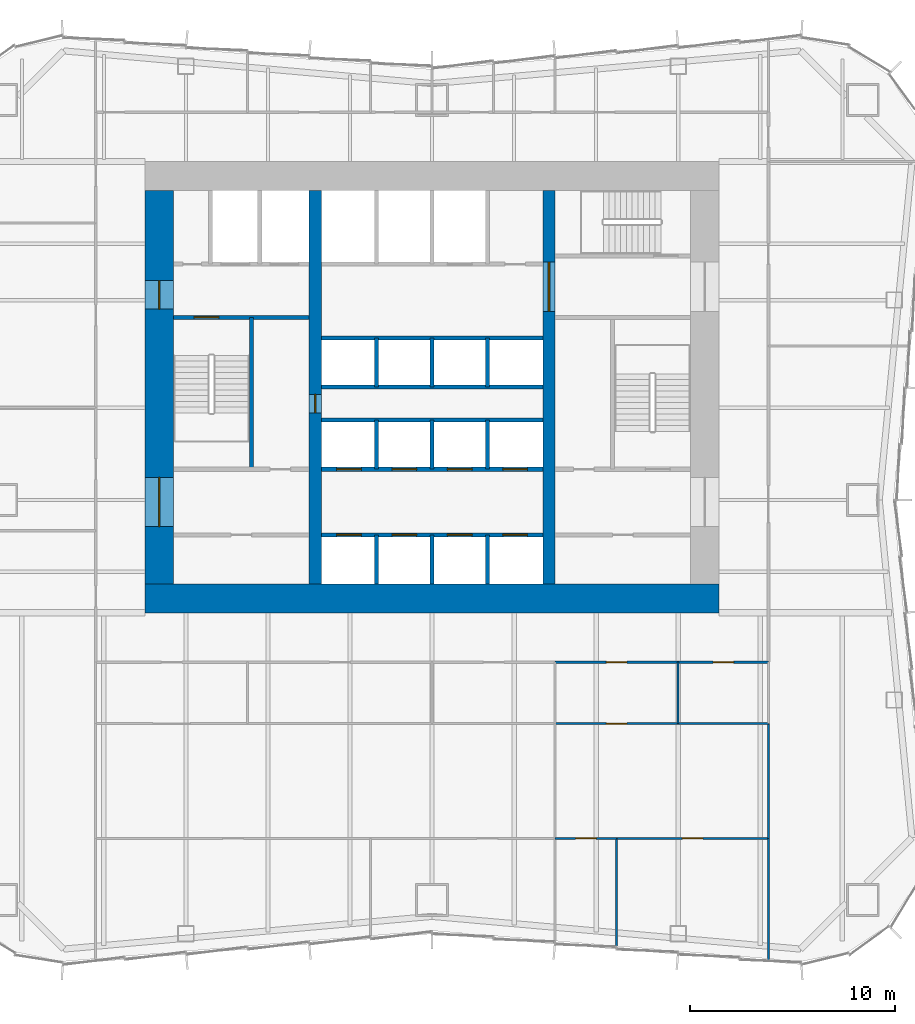
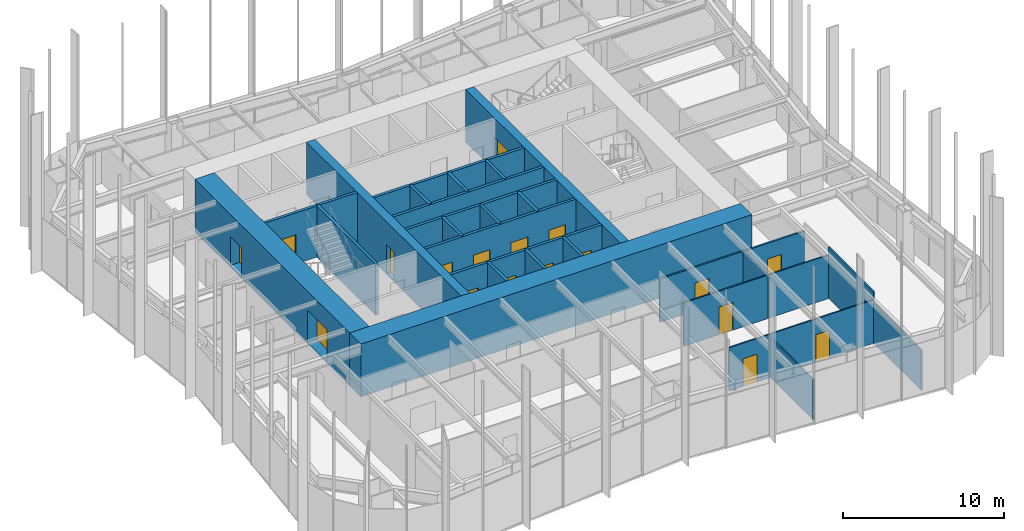
# One storey, part 10 of 13: 30 walls, 18 doors, 18 openings.
"""IFC4 building model written with IfcOpenShell, lengths in metres."""

from ifc_helpers import new_model, si_unit, direction, frame, frame_2d, origin, place, context, subcontext, project, spatial, rectangle, extrude, material, layer, layer_set, type_object, element, fill, save


model = new_model("IFC4")

# Units and contexts
model_context = context("Model", 3, precision=1e-05, world=origin(), true_north=direction((0.0, 1.0)))
body_context = subcontext(model_context, "Body", "Model", "MODEL_VIEW")
ifc_project = project(units=[si_unit("LENGTHUNIT", "METRE"), si_unit("AREAUNIT", "SQUARE_METRE"), si_unit("VOLUMEUNIT", "CUBIC_METRE"), si_unit("PLANEANGLEUNIT", "RADIAN"), si_unit("MASSUNIT", "GRAM", prefix="KILO")], contexts=[model_context])

# Site, building, storey
site_placement = place(None, origin())
site = spatial("IfcSite", under=ifc_project, at=site_placement, CompositionType="ELEMENT")
building_placement = place(site_placement, origin())
building = spatial("IfcBuilding", under=site, at=building_placement, Name="Verdant Reach Tower", CompositionType="ELEMENT")
storey_placement = place(building_placement, frame((0.0, 0.0, 14.0)))
storey = spatial("IfcBuildingStorey", under=building, at=storey_placement, Name="L02", CompositionType="ELEMENT", Elevation=14.0)

# Wall, openings, doors
ifc_material_1 = material(Name="Concrete C40/50", Category="concrete")
ifc_layer_1 = layer(ifc_material_1, 0.199951171875)
ifc_layer_set_1 = layer_set([ifc_layer_1], Name="CO-WALL-SHAFT")
wall_type_1 = type_object("IfcWallType", Name="CO-WALL-SHAFT", PredefinedType="PARTITIONING", material=ifc_layer_set_1)
wall_1_placement = place(storey_placement, frame((-5.39990234375, 20.800048828125, 0.0), z_axis=(0.0, 0.0, 1.0), x_axis=(1.0, 0.0, 0.0)))
wall_1 = element("IfcWall", 1, at=wall_1_placement, inside=storey, type_object=wall_type_1, Name="Lift shaft wall, L02", PredefinedType="PARTITIONING", context=body_context, shape_type="SweptSolid", body=[
    extrude(rectangle(XDim=10.7998046875, YDim=0.199951171875, at=frame_2d((5.39990234375, 0.0))), origin(), (0.0, 0.0, 1.0), 3.8701171875),
])
opening_1_placement = place(wall_1_placement, frame((0.75, 0.0, 0.0)))
opening_1 = element("IfcOpeningElement", 2, at=opening_1_placement, cuts=wall_1, Name="Opening LD-A1", PredefinedType="OPENING", context=body_context, shape_type="SweptSolid", body=[
    extrude(rectangle(XDim=1.199951171875, YDim=2.199951171875, at=frame_2d((0.60009765625, 1.10009765625))), frame((0.0, 0.10986328125, 0.0), z_axis=(0.0, -1.0, 0.0), x_axis=(1.0, 0.0, 0.0)), (0.0, 0.0, 1.0), 0.219970703125),
])
opening_2_placement = place(wall_1_placement, frame((3.449951171875, 0.0, 0.0)))
opening_2 = element("IfcOpeningElement", 3, at=opening_2_placement, cuts=wall_1, Name="Opening LD-A2", PredefinedType="OPENING", context=body_context, shape_type="SweptSolid", body=[
    extrude(rectangle(XDim=1.199951171875, YDim=2.199951171875, at=frame_2d((0.60009765625, 1.10009765625))), frame((0.0, 0.10986328125, 0.0), z_axis=(0.0, -1.0, 0.0), x_axis=(1.0, 0.0, 0.0)), (0.0, 0.0, 1.0), 0.219970703125),
])
opening_3_placement = place(wall_1_placement, frame((6.14990234375, 0.0, 0.0)))
opening_3 = element("IfcOpeningElement", 4, at=opening_3_placement, cuts=wall_1, Name="Opening LD-A3", PredefinedType="OPENING", context=body_context, shape_type="SweptSolid", body=[
    extrude(rectangle(XDim=1.199951171875, YDim=2.199951171875, at=frame_2d((0.60009765625, 1.10009765625))), frame((0.0, 0.10986328125, 0.0), z_axis=(0.0, -1.0, 0.0), x_axis=(1.0, 0.0, 0.0)), (0.0, 0.0, 1.0), 0.219970703125),
])
opening_4_placement = place(wall_1_placement, frame((8.85009765625, 0.0, 0.0)))
opening_4 = element("IfcOpeningElement", 5, at=opening_4_placement, cuts=wall_1, Name="Opening LD-A4", PredefinedType="OPENING", context=body_context, shape_type="SweptSolid", body=[
    extrude(rectangle(XDim=1.199951171875, YDim=2.199951171875, at=frame_2d((0.60009765625, 1.10009765625))), frame((0.0, 0.10986328125, 0.0), z_axis=(0.0, -1.0, 0.0), x_axis=(1.0, 0.0, 0.0)), (0.0, 0.0, 1.0), 0.219970703125),
])
ifc_material_2 = material(Name="Stainless steel", Category="steel")
door_type_1 = type_object("IfcDoorType", Name="CO-DOOR-LANDING", OperationType="SLIDING_TO_LEFT", PredefinedType="DOOR", material=ifc_material_2)
door_1_placement = place(opening_1_placement, origin())
door_1 = element("IfcDoor", 6, at=door_1_placement, inside=storey, type_object=door_type_1, Name="Landing door A1, L02", OperationType="SLIDING_TO_LEFT", OverallHeight=2.199951171875, OverallWidth=1.199951171875, PredefinedType="DOOR", context=body_context, shape_type="SweptSolid", body=[
    extrude(rectangle(XDim=1.199951171875, YDim=2.199951171875, at=frame_2d((0.60009765625, 1.10009765625))), frame((0.0, 0.02490234375, 0.0), z_axis=(0.0, -1.0, 0.0), x_axis=(1.0, 0.0, 0.0)), (0.0, 0.0, 1.0), 0.050048828125),
])
fill(opening_1, door_1)
door_2_placement = place(opening_2_placement, origin())
door_2 = element("IfcDoor", 7, at=door_2_placement, inside=storey, type_object=door_type_1, Name="Landing door A2, L02", OperationType="SLIDING_TO_LEFT", OverallHeight=2.199951171875, OverallWidth=1.199951171875, PredefinedType="DOOR", context=body_context, shape_type="SweptSolid", body=[
    extrude(rectangle(XDim=1.199951171875, YDim=2.199951171875, at=frame_2d((0.60009765625, 1.10009765625))), frame((0.0, 0.02490234375, 0.0), z_axis=(0.0, -1.0, 0.0), x_axis=(1.0, 0.0, 0.0)), (0.0, 0.0, 1.0), 0.050048828125),
])
fill(opening_2, door_2)
door_3_placement = place(opening_3_placement, origin())
door_3 = element("IfcDoor", 8, at=door_3_placement, inside=storey, type_object=door_type_1, Name="Landing door A3, L02", OperationType="SLIDING_TO_LEFT", OverallHeight=2.199951171875, OverallWidth=1.199951171875, PredefinedType="DOOR", context=body_context, shape_type="SweptSolid", body=[
    extrude(rectangle(XDim=1.199951171875, YDim=2.199951171875, at=frame_2d((0.60009765625, 1.10009765625))), frame((0.0, 0.02490234375, 0.0), z_axis=(0.0, -1.0, 0.0), x_axis=(1.0, 0.0, 0.0)), (0.0, 0.0, 1.0), 0.050048828125),
])
fill(opening_3, door_3)
door_4_placement = place(opening_4_placement, origin())
door_4 = element("IfcDoor", 9, at=door_4_placement, inside=storey, type_object=door_type_1, Name="Landing door A4, L02", OperationType="SLIDING_TO_LEFT", OverallHeight=2.199951171875, OverallWidth=1.199951171875, PredefinedType="DOOR", context=body_context, shape_type="SweptSolid", body=[
    extrude(rectangle(XDim=1.199951171875, YDim=2.199951171875, at=frame_2d((0.60009765625, 1.10009765625))), frame((0.0, 0.02490234375, 0.0), z_axis=(0.0, -1.0, 0.0), x_axis=(1.0, 0.0, 0.0)), (0.0, 0.0, 1.0), 0.050048828125),
])
fill(opening_4, door_4)

wall_2_placement = place(storey_placement, frame((-5.39990234375, 24.0, 0.0), z_axis=(0.0, 0.0, 1.0), x_axis=(1.0, 0.0, 0.0)))
wall_2 = element("IfcWall", 10, at=wall_2_placement, inside=storey, type_object=wall_type_1, Name="Lift shaft wall, L02", PredefinedType="PARTITIONING", context=body_context, shape_type="SweptSolid", body=[
    extrude(rectangle(XDim=10.7998046875, YDim=0.199951171875, at=frame_2d((5.39990234375, 0.0))), origin(), (0.0, 0.0, 1.0), 3.8701171875),
])
opening_5_placement = place(wall_2_placement, frame((0.75, 0.0, 0.0)))
opening_5 = element("IfcOpeningElement", 11, at=opening_5_placement, cuts=wall_2, Name="Opening LD-A5", PredefinedType="OPENING", context=body_context, shape_type="SweptSolid", body=[
    extrude(rectangle(XDim=1.199951171875, YDim=2.199951171875, at=frame_2d((0.60009765625, 1.10009765625))), frame((0.0, 0.10986328125, 0.0), z_axis=(0.0, -1.0, 0.0), x_axis=(1.0, 0.0, 0.0)), (0.0, 0.0, 1.0), 0.219970703125),
])
opening_6_placement = place(wall_2_placement, frame((3.449951171875, 0.0, 0.0)))
opening_6 = element("IfcOpeningElement", 12, at=opening_6_placement, cuts=wall_2, Name="Opening LD-A6", PredefinedType="OPENING", context=body_context, shape_type="SweptSolid", body=[
    extrude(rectangle(XDim=1.199951171875, YDim=2.199951171875, at=frame_2d((0.60009765625, 1.10009765625))), frame((0.0, 0.10986328125, 0.0), z_axis=(0.0, -1.0, 0.0), x_axis=(1.0, 0.0, 0.0)), (0.0, 0.0, 1.0), 0.219970703125),
])
opening_7_placement = place(wall_2_placement, frame((6.14990234375, 0.0, 0.0)))
opening_7 = element("IfcOpeningElement", 13, at=opening_7_placement, cuts=wall_2, Name="Opening LD-A7", PredefinedType="OPENING", context=body_context, shape_type="SweptSolid", body=[
    extrude(rectangle(XDim=1.199951171875, YDim=2.199951171875, at=frame_2d((0.60009765625, 1.10009765625))), frame((0.0, 0.10986328125, 0.0), z_axis=(0.0, -1.0, 0.0), x_axis=(1.0, 0.0, 0.0)), (0.0, 0.0, 1.0), 0.219970703125),
])
opening_8_placement = place(wall_2_placement, frame((8.85009765625, 0.0, 0.0)))
opening_8 = element("IfcOpeningElement", 14, at=opening_8_placement, cuts=wall_2, Name="Opening LD-A8", PredefinedType="OPENING", context=body_context, shape_type="SweptSolid", body=[
    extrude(rectangle(XDim=1.199951171875, YDim=2.199951171875, at=frame_2d((0.60009765625, 1.10009765625))), frame((0.0, 0.10986328125, 0.0), z_axis=(0.0, -1.0, 0.0), x_axis=(1.0, 0.0, 0.0)), (0.0, 0.0, 1.0), 0.219970703125),
])
door_5_placement = place(opening_5_placement, origin())
door_5 = element("IfcDoor", 15, at=door_5_placement, inside=storey, type_object=door_type_1, Name="Landing door A5, L02", OperationType="SLIDING_TO_LEFT", OverallHeight=2.199951171875, OverallWidth=1.199951171875, PredefinedType="DOOR", context=body_context, shape_type="SweptSolid", body=[
    extrude(rectangle(XDim=1.199951171875, YDim=2.199951171875, at=frame_2d((0.60009765625, 1.10009765625))), frame((0.0, 0.02490234375, 0.0), z_axis=(0.0, -1.0, 0.0), x_axis=(1.0, 0.0, 0.0)), (0.0, 0.0, 1.0), 0.050048828125),
])
fill(opening_5, door_5)
door_6_placement = place(opening_6_placement, origin())
door_6 = element("IfcDoor", 16, at=door_6_placement, inside=storey, type_object=door_type_1, Name="Landing door A6, L02", OperationType="SLIDING_TO_LEFT", OverallHeight=2.199951171875, OverallWidth=1.199951171875, PredefinedType="DOOR", context=body_context, shape_type="SweptSolid", body=[
    extrude(rectangle(XDim=1.199951171875, YDim=2.199951171875, at=frame_2d((0.60009765625, 1.10009765625))), frame((0.0, 0.02490234375, 0.0), z_axis=(0.0, -1.0, 0.0), x_axis=(1.0, 0.0, 0.0)), (0.0, 0.0, 1.0), 0.050048828125),
])
fill(opening_6, door_6)
door_7_placement = place(opening_7_placement, origin())
door_7 = element("IfcDoor", 17, at=door_7_placement, inside=storey, type_object=door_type_1, Name="Landing door A7, L02", OperationType="SLIDING_TO_LEFT", OverallHeight=2.199951171875, OverallWidth=1.199951171875, PredefinedType="DOOR", context=body_context, shape_type="SweptSolid", body=[
    extrude(rectangle(XDim=1.199951171875, YDim=2.199951171875, at=frame_2d((0.60009765625, 1.10009765625))), frame((0.0, 0.02490234375, 0.0), z_axis=(0.0, -1.0, 0.0), x_axis=(1.0, 0.0, 0.0)), (0.0, 0.0, 1.0), 0.050048828125),
])
fill(opening_7, door_7)
door_8_placement = place(opening_8_placement, origin())
door_8 = element("IfcDoor", 18, at=door_8_placement, inside=storey, type_object=door_type_1, Name="Landing door A8, L02", OperationType="SLIDING_TO_LEFT", OverallHeight=2.199951171875, OverallWidth=1.199951171875, PredefinedType="DOOR", context=body_context, shape_type="SweptSolid", body=[
    extrude(rectangle(XDim=1.199951171875, YDim=2.199951171875, at=frame_2d((0.60009765625, 1.10009765625))), frame((0.0, 0.02490234375, 0.0), z_axis=(0.0, -1.0, 0.0), x_axis=(1.0, 0.0, 0.0)), (0.0, 0.0, 1.0), 0.050048828125),
])
fill(opening_8, door_8)

# Walls
for number, where, z_axis, x_axis, name in (
    (19, (-5.39990234375, 26.39990234375, 0.0), (0.0, 0.0, 1.0), (1.0, 0.0, 0.0), "Lift shaft wall, L02"),
    (20, (-5.39990234375, 28.0, 0.0), (0.0, 0.0, 1.0), (1.0, 0.0, 0.0), "Lift shaft wall, L02"),
    (21, (-5.39990234375, 30.39990234375, 0.0), (0.0, 0.0, 1.0), (1.0, 0.0, 0.0), "Lift shaft wall, L02"),
):
    element("IfcWall", number, at=place(storey_placement, frame(where, z_axis=z_axis, x_axis=x_axis)), inside=storey, type_object=wall_type_1, Name=name, PredefinedType="PARTITIONING", context=body_context, shape_type="SweptSolid", body=[
        extrude(rectangle(XDim=10.7998046875, YDim=0.199951171875, at=frame_2d((5.39990234375, 0.0))), origin(), (0.0, 0.0, 1.0), 3.8701171875),
    ])
wall_3_placement = place(storey_placement, frame((-2.699951171875, 18.39990234375, 0.0), z_axis=(0.0, 0.0, 1.0), x_axis=(0.0, 1.0, 0.0)))
element("IfcWall", 22, at=wall_3_placement, inside=storey, type_object=wall_type_1, Name="Lift shaft wall, L02", PredefinedType="PARTITIONING", context=body_context, shape_type="SweptSolid", body=[
    extrude(rectangle(XDim=2.400146484375, YDim=0.199951171875, at=frame_2d((1.2001953125, 0.0))), origin(), (0.0, 0.0, 1.0), 3.8701171875),
])
for number, where, z_axis, x_axis, name in (
    (23, (-2.699951171875, 24.0, 0.0), (0.0, 0.0, 1.0), (0.0, 1.0, 0.0), "Lift shaft wall, L02"),
    (24, (-2.699951171875, 28.0, 0.0), (0.0, 0.0, 1.0), (0.0, 1.0, 0.0), "Lift shaft wall, L02"),
):
    element("IfcWall", number, at=place(storey_placement, frame(where, z_axis=z_axis, x_axis=x_axis)), inside=storey, type_object=wall_type_1, Name=name, PredefinedType="PARTITIONING", context=body_context, shape_type="SweptSolid", body=[
        extrude(rectangle(XDim=2.39990234375, YDim=0.199951171875, at=frame_2d((1.199951171875, 0.0))), origin(), (0.0, 0.0, 1.0), 3.8701171875),
    ])
wall_4_placement = place(storey_placement, frame((0.0, 18.39990234375, 0.0), z_axis=(0.0, 0.0, 1.0), x_axis=(0.0, 1.0, 0.0)))
element("IfcWall", 25, at=wall_4_placement, inside=storey, type_object=wall_type_1, Name="Lift shaft wall, L02", PredefinedType="PARTITIONING", context=body_context, shape_type="SweptSolid", body=[
    extrude(rectangle(XDim=2.400146484375, YDim=0.199951171875, at=frame_2d((1.2001953125, 0.0))), origin(), (0.0, 0.0, 1.0), 3.8701171875),
])
for number, where, z_axis, x_axis, name in (
    (26, (0.0, 24.0, 0.0), (0.0, 0.0, 1.0), (0.0, 1.0, 0.0), "Lift shaft wall, L02"),
    (27, (0.0, 28.0, 0.0), (0.0, 0.0, 1.0), (0.0, 1.0, 0.0), "Lift shaft wall, L02"),
):
    element("IfcWall", number, at=place(storey_placement, frame(where, z_axis=z_axis, x_axis=x_axis)), inside=storey, type_object=wall_type_1, Name=name, PredefinedType="PARTITIONING", context=body_context, shape_type="SweptSolid", body=[
        extrude(rectangle(XDim=2.39990234375, YDim=0.199951171875, at=frame_2d((1.199951171875, 0.0))), origin(), (0.0, 0.0, 1.0), 3.8701171875),
    ])
wall_5_placement = place(storey_placement, frame((2.699951171875, 18.39990234375, 0.0), z_axis=(0.0, 0.0, 1.0), x_axis=(0.0, 1.0, 0.0)))
element("IfcWall", 28, at=wall_5_placement, inside=storey, type_object=wall_type_1, Name="Lift shaft wall, L02", PredefinedType="PARTITIONING", context=body_context, shape_type="SweptSolid", body=[
    extrude(rectangle(XDim=2.400146484375, YDim=0.199951171875, at=frame_2d((1.2001953125, 0.0))), origin(), (0.0, 0.0, 1.0), 3.8701171875),
])
for number, where, z_axis, x_axis, name in (
    (29, (2.699951171875, 24.0, 0.0), (0.0, 0.0, 1.0), (0.0, 1.0, 0.0), "Lift shaft wall, L02"),
    (30, (2.699951171875, 28.0, 0.0), (0.0, 0.0, 1.0), (0.0, 1.0, 0.0), "Lift shaft wall, L02"),
):
    element("IfcWall", number, at=place(storey_placement, frame(where, z_axis=z_axis, x_axis=x_axis)), inside=storey, type_object=wall_type_1, Name=name, PredefinedType="PARTITIONING", context=body_context, shape_type="SweptSolid", body=[
        extrude(rectangle(XDim=2.39990234375, YDim=0.199951171875, at=frame_2d((1.199951171875, 0.0))), origin(), (0.0, 0.0, 1.0), 3.8701171875),
    ])

# Wall, opening, door
ifc_layer_2 = layer(ifc_material_1, 0.199951171875)
ifc_layer_set_2 = layer_set([ifc_layer_2], Name="CO-WALL-STAIR")
wall_type_2 = type_object("IfcWallType", Name="CO-WALL-STAIR", PredefinedType="PARTITIONING", material=ifc_layer_set_2)
wall_6_placement = place(storey_placement, frame((-12.60009765625, 31.39990234375, 0.0), z_axis=(0.0, 0.0, 1.0), x_axis=(1.0, 0.0, 0.0)))
wall_6 = element("IfcWall", 31, at=wall_6_placement, inside=storey, type_object=wall_type_2, Name="Stair enclosure wall, L02", PredefinedType="PARTITIONING", context=body_context, shape_type="SweptSolid", body=[
    extrude(rectangle(XDim=6.60009765625, YDim=0.199951171875, at=frame_2d((3.300048828125, 0.0))), origin(), (0.0, 0.0, 1.0), 3.8701171875),
])
opening_9_placement = place(wall_6_placement, frame((1.0, 0.0, 0.0)))
opening_9 = element("IfcOpeningElement", 32, at=opening_9_placement, cuts=wall_6, Name="Opening SD", PredefinedType="OPENING", context=body_context, shape_type="SweptSolid", body=[
    extrude(rectangle(XDim=1.199951171875, YDim=2.199951171875, at=frame_2d((0.60009765625, 1.10009765625))), frame((0.0, 0.10986328125, 0.0), z_axis=(0.0, -1.0, 0.0), x_axis=(1.0, 0.0, 0.0)), (0.0, 0.0, 1.0), 0.219970703125),
])
ifc_material_3 = material(Name="Steel", Category="steel")
door_type_2 = type_object("IfcDoorType", Name="CO-DOOR-STAIR", OperationType="NOTDEFINED", PredefinedType="DOOR", material=ifc_material_3)
door_9_placement = place(opening_9_placement, origin())
door_9 = element("IfcDoor", 33, at=door_9_placement, inside=storey, type_object=door_type_2, Name="Stair door, L02", OperationType="SINGLE_SWING_RIGHT", OverallHeight=2.199951171875, OverallWidth=1.199951171875, PredefinedType="DOOR", context=body_context, shape_type="SweptSolid", body=[
    extrude(rectangle(XDim=1.199951171875, YDim=2.199951171875, at=frame_2d((0.60009765625, 1.10009765625))), frame((0.0, 0.02490234375, 0.0), z_axis=(0.0, -1.0, 0.0), x_axis=(1.0, 0.0, 0.0)), (0.0, 0.0, 1.0), 0.050048828125),
])
fill(opening_9, door_9)

# Walls
wall_7_placement = place(storey_placement, frame((-8.800048828125, 24.0, 0.0), z_axis=(0.0, 0.0, 1.0), x_axis=(0.0, 1.0, 0.0)))
element("IfcWall", 34, at=wall_7_placement, inside=storey, type_object=wall_type_2, Name="Stair enclosure wall, L02", PredefinedType="PARTITIONING", context=body_context, shape_type="SweptSolid", body=[
    extrude(rectangle(XDim=7.39990234375, YDim=0.199951171875, at=frame_2d((3.699951171875, 0.0))), origin(), (0.0, 0.0, 1.0), 3.8701171875),
])
ifc_material_4 = material(Name="Gypsum board on steel studs", Category="steel")
ifc_layer_3 = layer(ifc_material_4, 0.10009765625)
ifc_layer_set_3 = layer_set([ifc_layer_3], Name="FL-W1 Partition 100")
wall_type_3 = type_object("IfcWallType", Name="FL-W1 Partition 100", PredefinedType="PARTITIONING", material=ifc_layer_set_3)
wall_8_placement = place(storey_placement, frame((12.0, 11.60009765625, 0.0), z_axis=(0.0, 0.0, 1.0), x_axis=(0.0, 1.0, 0.0)))
element("IfcWall", 35, at=wall_8_placement, inside=storey, type_object=wall_type_3, Name="Partition 02.33", PredefinedType="PARTITIONING", context=body_context, shape_type="SweptSolid", body=[
    extrude(rectangle(XDim=3.0, YDim=0.10009765625, at=frame_2d((1.5, 0.0))), origin(), (0.0, 0.0, 1.0), 3.2900390625),
])

# Wall, opening, door
wall_9_placement = place(storey_placement, frame((12.00390625, 11.60009765625, 0.0), z_axis=(0.0, 0.0, 1.0), x_axis=(-1.0, 0.0, 0.0)))
wall_9 = element("IfcWall", 36, at=wall_9_placement, inside=storey, type_object=wall_type_3, Name="Partition 02.34", PredefinedType="PARTITIONING", context=body_context, shape_type="SweptSolid", body=[
    extrude(rectangle(XDim=6.00390625, YDim=0.10009765625, at=frame_2d((3.001953125, 0.0))), origin(), (0.0, 0.0, 1.0), 3.2900390625),
])
opening_10_placement = place(wall_9_placement, frame((2.501953125, 0.0, 0.0)))
opening_10 = element("IfcOpeningElement", 37, at=opening_10_placement, cuts=wall_9, Name="Opening D3", PredefinedType="OPENING", context=body_context, shape_type="SweptSolid", body=[
    extrude(rectangle(XDim=1.0, YDim=2.10009765625, at=frame_2d((0.5, 1.050048828125))), frame((0.0, 0.06005859375, 0.0), z_axis=(0.0, -1.0, 0.0), x_axis=(1.0, 0.0, 0.0)), (0.0, 0.0, 1.0), 0.1201171875),
])
ifc_material_5 = material(Name="Painted timber door leaf", Category="wood")
door_type_3 = type_object("IfcDoorType", Name="FL-D3 Door 1000x2100", OperationType="NOTDEFINED", PredefinedType="DOOR", material=ifc_material_5)
door_10_placement = place(opening_10_placement, origin())
door_10 = element("IfcDoor", 38, at=door_10_placement, inside=storey, type_object=door_type_3, Name="Door 02-022", OperationType="SINGLE_SWING_RIGHT", OverallHeight=2.10009765625, OverallWidth=1.0, PredefinedType="DOOR", context=body_context, shape_type="SweptSolid", body=[
    extrude(rectangle(XDim=1.0, YDim=2.10009765625, at=frame_2d((0.5, 1.050048828125))), frame((0.0, 0.02490234375, 0.0), z_axis=(0.0, -1.0, 0.0), x_axis=(1.0, 0.0, 0.0)), (0.0, 0.0, 1.0), 0.050048828125),
])
fill(opening_10, door_10)

# Wall
wall_10_placement = place(storey_placement, frame((11.99609375, 11.60009765625, 0.0), z_axis=(0.0, 0.0, 1.0), x_axis=(1.0, 0.0, 0.0)))
element("IfcWall", 39, at=wall_10_placement, inside=storey, type_object=wall_type_3, Name="Partition 02.35", PredefinedType="PARTITIONING", context=body_context, shape_type="SweptSolid", body=[
    extrude(rectangle(XDim=4.40380859375, YDim=0.10009765625, at=frame_2d((2.201904296875, 0.0))), origin(), (0.0, 0.0, 1.0), 3.2900390625),
])

# Wall, opening, door
wall_11_placement = place(storey_placement, frame((9.0, 6.0, 0.0), z_axis=(0.0, 0.0, 1.0), x_axis=(-1.0, 0.0, 0.0)))
wall_11 = element("IfcWall", 40, at=wall_11_placement, inside=storey, type_object=wall_type_3, Name="Partition 02.37", PredefinedType="PARTITIONING", context=body_context, shape_type="SweptSolid", body=[
    extrude(rectangle(XDim=3.0, YDim=0.10009765625, at=frame_2d((1.5, 0.0))), origin(), (0.0, 0.0, 1.0), 3.2900390625),
])
opening_11_placement = place(wall_11_placement, frame((1.0, 0.0, 0.0)))
opening_11 = element("IfcOpeningElement", 41, at=opening_11_placement, cuts=wall_11, Name="Opening D3", PredefinedType="OPENING", context=body_context, shape_type="SweptSolid", body=[
    extrude(rectangle(XDim=1.0, YDim=2.10009765625, at=frame_2d((0.5, 1.050048828125))), frame((0.0, 0.06005859375, 0.0), z_axis=(0.0, -1.0, 0.0), x_axis=(1.0, 0.0, 0.0)), (0.0, 0.0, 1.0), 0.1201171875),
])
door_11_placement = place(opening_11_placement, origin())
door_11 = element("IfcDoor", 42, at=door_11_placement, inside=storey, type_object=door_type_3, Name="Door 02-023", OperationType="SINGLE_SWING_LEFT", OverallHeight=2.10009765625, OverallWidth=1.0, PredefinedType="DOOR", context=body_context, shape_type="SweptSolid", body=[
    extrude(rectangle(XDim=1.0, YDim=2.10009765625, at=frame_2d((0.5, 1.050048828125))), frame((0.0, 0.02490234375, 0.0), z_axis=(0.0, -1.0, 0.0), x_axis=(1.0, 0.0, 0.0)), (0.0, 0.0, 1.0), 0.050048828125),
])
fill(opening_11, door_11)

wall_12_placement = place(storey_placement, frame((16.39990234375, 6.0, 0.0), z_axis=(0.0, 0.0, 1.0), x_axis=(-1.0, 0.0, 0.0)))
wall_12 = element("IfcWall", 43, at=wall_12_placement, inside=storey, type_object=wall_type_3, Name="Partition 02.38", PredefinedType="PARTITIONING", context=body_context, shape_type="SweptSolid", body=[
    extrude(rectangle(XDim=7.39990234375, YDim=0.10009765625, at=frame_2d((3.699951171875, 0.0))), origin(), (0.0, 0.0, 1.0), 3.2900390625),
])
opening_12_placement = place(wall_12_placement, frame((3.199951171875, 0.0, 0.0)))
opening_12 = element("IfcOpeningElement", 44, at=opening_12_placement, cuts=wall_12, Name="Opening D3", PredefinedType="OPENING", context=body_context, shape_type="SweptSolid", body=[
    extrude(rectangle(XDim=1.0, YDim=2.10009765625, at=frame_2d((0.5, 1.050048828125))), frame((0.0, 0.06005859375, 0.0), z_axis=(0.0, -1.0, 0.0), x_axis=(1.0, 0.0, 0.0)), (0.0, 0.0, 1.0), 0.1201171875),
])
door_12_placement = place(opening_12_placement, origin())
door_12 = element("IfcDoor", 45, at=door_12_placement, inside=storey, type_object=door_type_3, Name="Door 02-024", OperationType="SINGLE_SWING_RIGHT", OverallHeight=2.10009765625, OverallWidth=1.0, PredefinedType="DOOR", context=body_context, shape_type="SweptSolid", body=[
    extrude(rectangle(XDim=1.0, YDim=2.10009765625, at=frame_2d((0.5, 1.050048828125))), frame((0.0, 0.02490234375, 0.0), z_axis=(0.0, -1.0, 0.0), x_axis=(1.0, 0.0, 0.0)), (0.0, 0.0, 1.0), 0.050048828125),
])
fill(opening_12, door_12)

# Walls
wall_13_placement = place(storey_placement, frame((16.39990234375, 5.99609375, 0.0), z_axis=(0.0, 0.0, 1.0), x_axis=(0.0, 1.0, 0.0)))
element("IfcWall", 46, at=wall_13_placement, inside=storey, type_object=wall_type_3, Name="Partition 02.39", PredefinedType="PARTITIONING", context=body_context, shape_type="SweptSolid", body=[
    extrude(rectangle(XDim=5.60791015625, YDim=0.10009765625, at=frame_2d((2.803955078125, 0.0))), origin(), (0.0, 0.0, 1.0), 3.8701171875),
])
wall_14_placement = place(storey_placement, frame((9.0, 0.669921875, 0.0), z_axis=(0.0, 0.0, 1.0), x_axis=(0.0, 1.0, 0.0)))
element("IfcWall", 47, at=wall_14_placement, inside=storey, type_object=wall_type_3, Name="Partition 02.40", PredefinedType="PARTITIONING", context=body_context, shape_type="SweptSolid", body=[
    extrude(rectangle(XDim=5.330078125, YDim=0.10009765625, at=frame_2d((2.6650390625, 0.0))), origin(), (0.0, 0.0, 1.0), 3.0400390625),
])
wall_15_placement = place(storey_placement, frame((16.39990234375, 0.05322265625, 0.0), z_axis=(0.0, 0.0, 1.0), x_axis=(0.0, 1.0, 0.0)))
element("IfcWall", 48, at=wall_15_placement, inside=storey, type_object=wall_type_3, Name="Partition 02.41", PredefinedType="PARTITIONING", context=body_context, shape_type="SweptSolid", body=[
    extrude(rectangle(XDim=5.95068359375, YDim=0.10009765625, at=frame_2d((2.975341796875, 0.0))), origin(), (0.0, 0.0, 1.0), 3.0400390625),
])

# Wall, opening, door
ifc_material_6 = material(Name="Gypsum board on steel studs, fire rated", Category="steel")
ifc_layer_4 = layer(ifc_material_6, 0.125)
ifc_layer_set_4 = layer_set([ifc_layer_4], Name="FL-W2 Corridor wall 125")
wall_type_4 = type_object("IfcWallType", Name="FL-W2 Corridor wall 125", PredefinedType="PARTITIONING", material=ifc_layer_set_4)
wall_16_placement = place(storey_placement, frame((12.0, 14.60009765625, 0.0), z_axis=(0.0, 0.0, 1.0), x_axis=(-1.0, 0.0, 0.0)))
wall_16 = element("IfcWall", 49, at=wall_16_placement, inside=storey, type_object=wall_type_4, Name="Partition 02.04", PredefinedType="PARTITIONING", context=body_context, shape_type="SweptSolid", body=[
    extrude(rectangle(XDim=6.0, YDim=0.125, at=frame_2d((3.0, 0.0))), origin(), (0.0, 0.0, 1.0), 3.2900390625),
])
opening_13_placement = place(wall_16_placement, frame((2.5, 0.0, 0.0)))
opening_13 = element("IfcOpeningElement", 50, at=opening_13_placement, cuts=wall_16, Name="Opening D2", PredefinedType="OPENING", context=body_context, shape_type="SweptSolid", body=[
    extrude(rectangle(XDim=1.0, YDim=2.10009765625, at=frame_2d((0.5, 1.050048828125))), frame((0.0, 0.072509765625, 0.0), z_axis=(0.0, -1.0, 0.0), x_axis=(1.0, 0.0, 0.0)), (0.0, 0.0, 1.0), 0.14501953125),
])
ifc_material_7 = material(Name="Timber door leaf, fire rated", Category="wood")
door_type_4 = type_object("IfcDoorType", Name="FL-D2 Entrance door 1000x2100 FD30", OperationType="NOTDEFINED", PredefinedType="DOOR", material=ifc_material_7)
door_13_placement = place(opening_13_placement, origin())
door_13 = element("IfcDoor", 51, at=door_13_placement, inside=storey, type_object=door_type_4, Name="Door 02-004", OperationType="SINGLE_SWING_RIGHT", OverallHeight=2.10009765625, OverallWidth=1.0, PredefinedType="DOOR", context=body_context, shape_type="SweptSolid", body=[
    extrude(rectangle(XDim=1.0, YDim=2.10009765625, at=frame_2d((0.5, 1.050048828125))), frame((0.0, 0.02490234375, 0.0), z_axis=(0.0, -1.0, 0.0), x_axis=(1.0, 0.0, 0.0)), (0.0, 0.0, 1.0), 0.050048828125),
])
fill(opening_13, door_13)

wall_17_placement = place(storey_placement, frame((16.39990234375, 14.60009765625, 0.0), z_axis=(0.0, 0.0, 1.0), x_axis=(-1.0, 0.0, 0.0)))
wall_17 = element("IfcWall", 52, at=wall_17_placement, inside=storey, type_object=wall_type_4, Name="Partition 02.05", PredefinedType="PARTITIONING", context=body_context, shape_type="SweptSolid", body=[
    extrude(rectangle(XDim=4.39990234375, YDim=0.125, at=frame_2d((2.199951171875, 0.0))), origin(), (0.0, 0.0, 1.0), 3.2900390625),
])
opening_14_placement = place(wall_17_placement, frame((1.699951171875, 0.0, 0.0)))
opening_14 = element("IfcOpeningElement", 53, at=opening_14_placement, cuts=wall_17, Name="Opening D2", PredefinedType="OPENING", context=body_context, shape_type="SweptSolid", body=[
    extrude(rectangle(XDim=1.0, YDim=2.10009765625, at=frame_2d((0.5, 1.050048828125))), frame((0.0, 0.072509765625, 0.0), z_axis=(0.0, -1.0, 0.0), x_axis=(1.0, 0.0, 0.0)), (0.0, 0.0, 1.0), 0.14501953125),
])
door_14_placement = place(opening_14_placement, origin())
door_14 = element("IfcDoor", 54, at=door_14_placement, inside=storey, type_object=door_type_4, Name="Door 02-005", OperationType="SINGLE_SWING_LEFT", OverallHeight=2.10009765625, OverallWidth=1.0, PredefinedType="DOOR", context=body_context, shape_type="SweptSolid", body=[
    extrude(rectangle(XDim=1.0, YDim=2.10009765625, at=frame_2d((0.5, 1.050048828125))), frame((0.0, 0.02490234375, 0.0), z_axis=(0.0, -1.0, 0.0), x_axis=(1.0, 0.0, 0.0)), (0.0, 0.0, 1.0), 0.050048828125),
])
fill(opening_14, door_14)

# Wall
ifc_material_8 = material(Name="Concrete C70/85", Category="concrete")
ifc_layer_5 = layer(ifc_material_8, 1.39990234375)
ifc_layer_set_5 = layer_set([ifc_layer_5], Name="ST-CORE-WALL-1400")
wall_type_5 = type_object("IfcWallType", Name="ST-CORE-WALL-1400", PredefinedType="SHEAR", material=ifc_layer_set_5)
wall_18_placement = place(storey_placement, frame((-14.0, 17.699951171875, -0.1298828125), z_axis=(0.0, 0.0, 1.0), x_axis=(1.0, 0.0, 0.0)))
element("IfcWall", 55, at=wall_18_placement, inside=storey, type_object=wall_type_5, Name="Core wall S, L02", PredefinedType="SHEAR", context=body_context, shape_type="SweptSolid", body=[
    extrude(rectangle(XDim=28.0, YDim=1.39990234375, at=frame_2d((14.0, 0.0))), origin(), (0.0, 0.0, 1.0), 4.0),
])

# Wall, openings, doors
wall_19_placement = place(storey_placement, frame((-13.300048828125, 18.39990234375, -0.1298828125), z_axis=(0.0, 0.0, 1.0), x_axis=(0.0, 1.0, 0.0)))
wall_19 = element("IfcWall", 56, at=wall_19_placement, inside=storey, type_object=wall_type_5, Name="Core wall W, L02", PredefinedType="SHEAR", context=body_context, shape_type="SweptSolid", body=[
    extrude(rectangle(XDim=19.2001953125, YDim=1.39990234375, at=frame_2d((9.60009765625, 0.0))), origin(), (0.0, 0.0, 1.0), 4.0),
])
opening_15_placement = place(wall_19_placement, frame((2.800048828125, 0.0, 0.1298828125)))
opening_15 = element("IfcOpeningElement", 57, at=opening_15_placement, cuts=wall_19, Name="Opening LB", PredefinedType="OPENING", context=body_context, shape_type="SweptSolid", body=[
    extrude(rectangle(XDim=2.39990234375, YDim=2.39990234375, at=frame_2d((1.199951171875, 1.199951171875))), frame((0.0, 0.7099609375, 0.0), z_axis=(0.0, -1.0, 0.0), x_axis=(1.0, 0.0, 0.0)), (0.0, 0.0, 1.0), 1.419921875),
])
opening_16_placement = place(wall_19_placement, frame((13.39990234375, 0.0, 0.1298828125)))
opening_16 = element("IfcOpeningElement", 58, at=opening_16_placement, cuts=wall_19, Name="Opening FL", PredefinedType="OPENING", context=body_context, shape_type="SweptSolid", body=[
    extrude(rectangle(XDim=1.39990234375, YDim=2.199951171875, at=frame_2d((0.699951171875, 1.10009765625))), frame((0.0, 0.7099609375, 0.0), z_axis=(0.0, -1.0, 0.0), x_axis=(1.0, 0.0, 0.0)), (0.0, 0.0, 1.0), 1.419921875),
])
door_type_5 = type_object("IfcDoorType", Name="CO-DOOR-FFL", OperationType="NOTDEFINED", PredefinedType="DOOR", material=ifc_material_3)
door_15_placement = place(opening_16_placement, origin())
door_15 = element("IfcDoor", 59, at=door_15_placement, inside=storey, type_object=door_type_5, Name="Core entrance door, L02", OperationType="SINGLE_SWING_RIGHT", OverallHeight=2.199951171875, OverallWidth=1.39990234375, PredefinedType="DOOR", context=body_context, shape_type="SweptSolid", body=[
    extrude(rectangle(XDim=1.39990234375, YDim=2.199951171875, at=frame_2d((0.699951171875, 1.10009765625))), frame((0.0, 0.02490234375, 0.0), z_axis=(0.0, -1.0, 0.0), x_axis=(1.0, 0.0, 0.0)), (0.0, 0.0, 1.0), 0.050048828125),
])
fill(opening_16, door_15)
ifc_material_9 = material(Name="Glass and steel", Category="steel")
door_type_6 = type_object("IfcDoorType", Name="CO-DOOR-LOBBY", OperationType="DOUBLE_DOOR_SINGLE_SWING", PredefinedType="DOOR", material=ifc_material_9)
door_16_placement = place(opening_15_placement, origin())
door_16 = element("IfcDoor", 60, at=door_16_placement, inside=storey, type_object=door_type_6, Name="Core entrance door, L02", OperationType="DOUBLE_DOOR_SINGLE_SWING", OverallHeight=2.39990234375, OverallWidth=2.39990234375, PredefinedType="DOOR", context=body_context, shape_type="SweptSolid", body=[
    extrude(rectangle(XDim=2.39990234375, YDim=2.39990234375, at=frame_2d((1.199951171875, 1.199951171875))), frame((0.0, 0.02490234375, 0.0), z_axis=(0.0, -1.0, 0.0), x_axis=(1.0, 0.0, 0.0)), (0.0, 0.0, 1.0), 0.050048828125),
])
fill(opening_15, door_16)

# Wall, opening, door
ifc_layer_6 = layer(ifc_material_8, 0.60009765625)
ifc_layer_set_6 = layer_set([ifc_layer_6], Name="ST-CORE-WALL-600")
wall_type_6 = type_object("IfcWallType", Name="ST-CORE-WALL-600", PredefinedType="SHEAR", material=ifc_layer_set_6)
wall_20_placement = place(storey_placement, frame((-5.699951171875, 18.39990234375, -0.1298828125), z_axis=(0.0, 0.0, 1.0), x_axis=(0.0, 1.0, 0.0)))
wall_20 = element("IfcWall", 61, at=wall_20_placement, inside=storey, type_object=wall_type_6, Name="Core wall XW, L02", PredefinedType="SHEAR", context=body_context, shape_type="SweptSolid", body=[
    extrude(rectangle(XDim=19.2001953125, YDim=0.60009765625, at=frame_2d((9.60009765625, 0.0))), origin(), (0.0, 0.0, 1.0), 4.0),
])
opening_17_placement = place(wall_20_placement, frame((8.35009765625, 0.0, 0.1298828125)))
opening_17 = element("IfcOpeningElement", 62, at=opening_17_placement, cuts=wall_20, Name="Opening RD", PredefinedType="OPENING", context=body_context, shape_type="SweptSolid", body=[
    extrude(rectangle(XDim=0.89990234375, YDim=2.10009765625, at=frame_2d((0.449951171875, 1.050048828125))), frame((0.0, 0.31005859375, 0.0), z_axis=(0.0, -1.0, 0.0), x_axis=(1.0, 0.0, 0.0)), (0.0, 0.0, 1.0), 0.6201171875),
])
door_type_7 = type_object("IfcDoorType", Name="CO-DOOR-RISER", OperationType="NOTDEFINED", PredefinedType="DOOR", material=ifc_material_3)
door_17_placement = place(opening_17_placement, origin())
door_17 = element("IfcDoor", 63, at=door_17_placement, inside=storey, type_object=door_type_7, Name="Riser door, L02", OperationType="SINGLE_SWING_RIGHT", OverallHeight=2.10009765625, OverallWidth=0.89990234375, PredefinedType="DOOR", context=body_context, shape_type="SweptSolid", body=[
    extrude(rectangle(XDim=0.89990234375, YDim=2.10009765625, at=frame_2d((0.449951171875, 1.050048828125))), frame((0.0, 0.02490234375, 0.0), z_axis=(0.0, -1.0, 0.0), x_axis=(1.0, 0.0, 0.0)), (0.0, 0.0, 1.0), 0.050048828125),
])
fill(opening_17, door_17)

wall_21_placement = place(storey_placement, frame((5.699951171875, 18.39990234375, -0.1298828125), z_axis=(0.0, 0.0, 1.0), x_axis=(0.0, 1.0, 0.0)))
wall_21 = element("IfcWall", 64, at=wall_21_placement, inside=storey, type_object=wall_type_6, Name="Core wall XE, L02", PredefinedType="SHEAR", context=body_context, shape_type="SweptSolid", body=[
    extrude(rectangle(XDim=19.2001953125, YDim=0.60009765625, at=frame_2d((9.60009765625, 0.0))), origin(), (0.0, 0.0, 1.0), 4.0),
])
opening_18_placement = place(wall_21_placement, frame((13.300048828125, 0.0, 0.1298828125)))
opening_18 = element("IfcOpeningElement", 65, at=opening_18_placement, cuts=wall_21, Name="Opening LB", PredefinedType="OPENING", context=body_context, shape_type="SweptSolid", body=[
    extrude(rectangle(XDim=2.39990234375, YDim=2.39990234375, at=frame_2d((1.199951171875, 1.199951171875))), frame((0.0, 0.31005859375, 0.0), z_axis=(0.0, -1.0, 0.0), x_axis=(1.0, 0.0, 0.0)), (0.0, 0.0, 1.0), 0.6201171875),
])
door_18_placement = place(opening_18_placement, origin())
door_18 = element("IfcDoor", 66, at=door_18_placement, inside=storey, type_object=door_type_6, Name="Core entrance door, L02", OperationType="DOUBLE_DOOR_SINGLE_SWING", OverallHeight=2.39990234375, OverallWidth=2.39990234375, PredefinedType="DOOR", context=body_context, shape_type="SweptSolid", body=[
    extrude(rectangle(XDim=2.39990234375, YDim=2.39990234375, at=frame_2d((1.199951171875, 1.199951171875))), frame((0.0, 0.02490234375, 0.0), z_axis=(0.0, -1.0, 0.0), x_axis=(1.0, 0.0, 0.0)), (0.0, 0.0, 1.0), 0.050048828125),
])
fill(opening_18, door_18)

save(model, "model.ifc")
